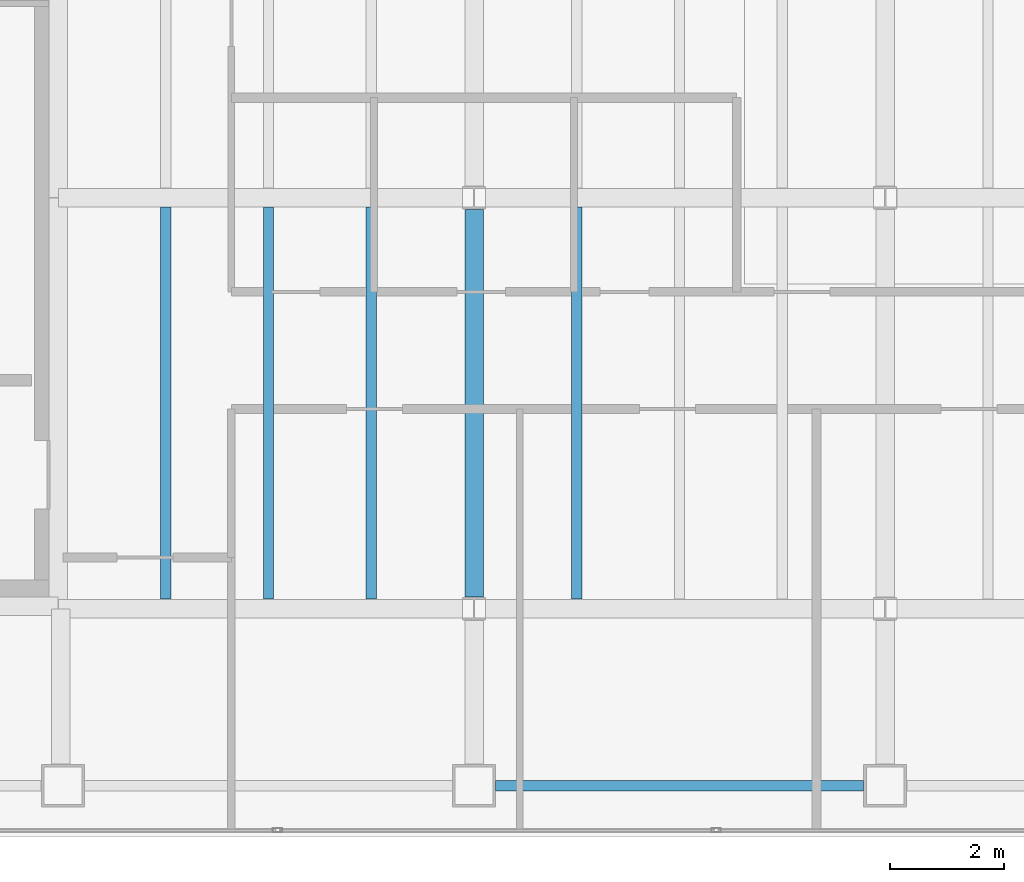
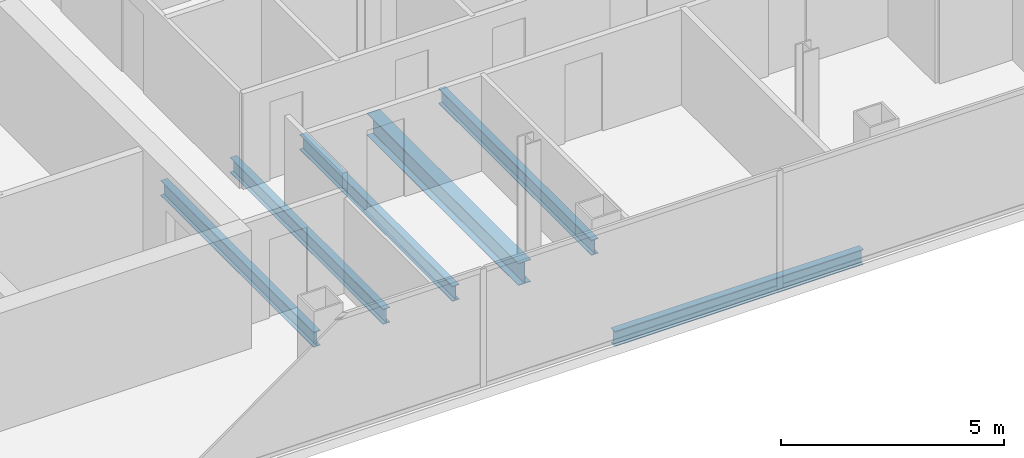
# One storey, part 5 of 23: 6 beams.
"""IFC4 building model written with IfcOpenShell, lengths in metres."""

from ifc_helpers import new_model, si_unit, direction, frame, origin, origin_2d, place, context, subcontext, project, spatial, i_section, extrude, material, material_profile, profile_set, type_object, element, save


model = new_model("IFC4")

# Units and contexts
model_context = context("Model", 3, precision=1e-05, world=origin(), true_north=direction((0.0, 1.0)))
body_context = subcontext(model_context, "Body", "Model", "MODEL_VIEW")
ifc_project = project(units=[si_unit("LENGTHUNIT", "METRE"), si_unit("AREAUNIT", "SQUARE_METRE"), si_unit("VOLUMEUNIT", "CUBIC_METRE"), si_unit("PLANEANGLEUNIT", "RADIAN"), si_unit("MASSUNIT", "GRAM", prefix="KILO")], contexts=[model_context])

# Site, building, storey
site_placement = place(None, origin())
site = spatial("IfcSite", under=ifc_project, at=site_placement, CompositionType="ELEMENT")
building_placement = place(site_placement, origin())
building = spatial("IfcBuilding", under=site, at=building_placement, Name="Cobrela Telecom Tower", CompositionType="ELEMENT")
storey_placement = place(building_placement, frame((0.0, 0.0, 218.75)))
storey = spatial("IfcBuildingStorey", under=building, at=storey_placement, Name="L56", CompositionType="ELEMENT", Elevation=218.75)

# Beams
ifc_material = material(Name="Steel ASTM A992 Grade 50", Category="steel")
ifc_material_profile_1 = material_profile(ifc_material, i_section(OverallWidth=0.324951171875, OverallDepth=0.612060546875, WebThickness=0.0126953125, FlangeThickness=0.01904296875, FilletRadius=0.014892578125, at=origin_2d()), Name="W24X104")
ifc_profile_set_1 = profile_set([ifc_material_profile_1], Name="Steel ASTM A992 Grade 50")
beam_type_1 = type_object("IfcBeamType", Name="BM-GIRD-07", PredefinedType="USERDEFINED", material=ifc_profile_set_1)
beam_1_placement = place(storey_placement, frame((21.60009765625, 7.404541015625, -0.56591796875), z_axis=(0.0, 1.0, 0.0), x_axis=(-1.0, 0.0, 0.0)))
element("IfcBeam", 1, at=beam_1_placement, inside=storey, type_object=beam_type_1, Name="L56 Primary Girder Y33", ObjectType="GIRDER", PredefinedType="USERDEFINED", context=body_context, shape_type="SweptSolid", body=[
    extrude(i_section(OverallWidth=0.324951171875, OverallDepth=0.612060546875, WebThickness=0.0126953125, FlangeThickness=0.01904296875, FilletRadius=0.014892578125, at=origin_2d()), origin(), (0.0, 0.0, 1.0), 6.791015625),
])
ifc_material_profile_2 = material_profile(ifc_material, i_section(OverallWidth=0.179931640625, OverallDepth=0.4169921875, WebThickness=0.010986328125, FlangeThickness=0.01806640625, FilletRadius=0.011962890625, at=origin_2d()), Name="W16X57")
ifc_profile_set_2 = profile_set([ifc_material_profile_2], Name="Steel ASTM A992 Grade 50")
beam_type_2 = type_object("IfcBeamType", Name="BM-JOIST-04", PredefinedType="JOIST", material=ifc_profile_set_2)
for number, where, z_axis, x_axis, name in (
    (2, (16.199951171875, 7.367431640625, -0.468505859375), (0.0, 1.0, 0.0), (-1.0, 0.0, 0.0), "L56 Secondary Composite Floor Beam J01"),
    (3, (18.0, 7.367431640625, -0.468505859375), (0.0, 1.0, 0.0), (-1.0, 0.0, 0.0), "L56 Secondary Composite Floor Beam J05"),
    (4, (19.800048828125, 7.367431640625, -0.468505859375), (0.0, 1.0, 0.0), (-1.0, 0.0, 0.0), "L56 Secondary Composite Floor Beam J09"),
    (5, (23.39990234375, 7.367431640625, -0.468505859375), (0.0, 1.0, 0.0), (-1.0, 0.0, 0.0), "L56 Secondary Composite Floor Beam J13"),
):
    element("IfcBeam", number, at=place(storey_placement, frame(where, z_axis=z_axis, x_axis=x_axis)), inside=storey, type_object=beam_type_2, Name=name, PredefinedType="JOIST", context=body_context, shape_type="SweptSolid", body=[
        extrude(i_section(OverallWidth=0.179931640625, OverallDepth=0.4169921875, WebThickness=0.010986328125, FlangeThickness=0.01806640625, FilletRadius=0.011962890625, at=origin_2d()), origin(), (0.0, 0.0, 1.0), 6.864990234375),
    ])
ifc_material_profile_3 = material_profile(ifc_material, i_section(OverallWidth=0.179931640625, OverallDepth=0.4169921875, WebThickness=0.010986328125, FlangeThickness=0.01806640625, FilletRadius=0.011962890625, at=origin_2d()), Name="W16X57")
ifc_profile_set_3 = profile_set([ifc_material_profile_3], Name="Steel ASTM A992 Grade 50")
beam_type_3 = type_object("IfcBeamType", Name="BM-SPAND-06", PredefinedType="SPANDREL", material=ifc_profile_set_3)
beam_2_placement = place(storey_placement, frame((21.97998046875, 4.10009765625, -0.468505859375), z_axis=(1.0, 0.0, 0.0), x_axis=(0.0, 1.0, 0.0)))
element("IfcBeam", 6, at=beam_2_placement, inside=storey, type_object=beam_type_3, Name="L56 Perimeter Spandrel X03", PredefinedType="SPANDREL", context=body_context, shape_type="SweptSolid", body=[
    extrude(i_section(OverallWidth=0.179931640625, OverallDepth=0.4169921875, WebThickness=0.010986328125, FlangeThickness=0.01806640625, FilletRadius=0.011962890625, at=origin_2d()), origin(), (0.0, 0.0, 1.0), 6.43994140625),
])

save(model, "model.ifc")
